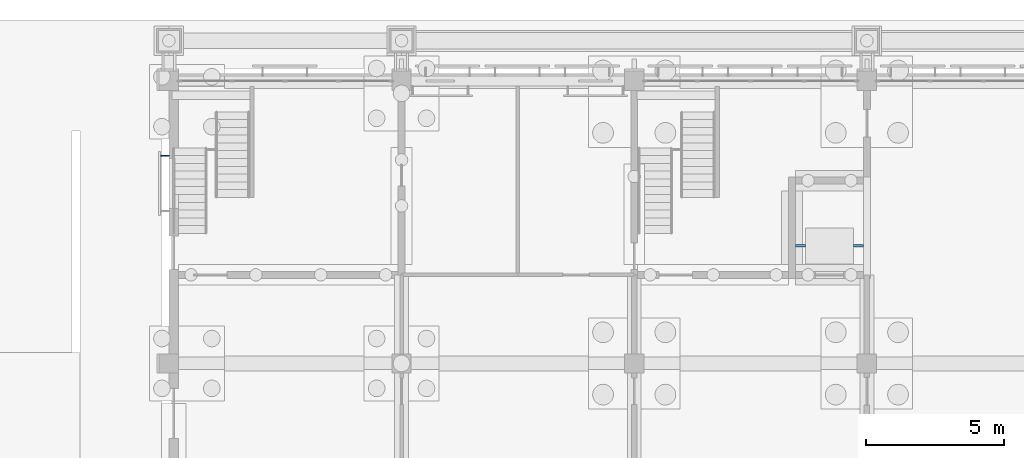
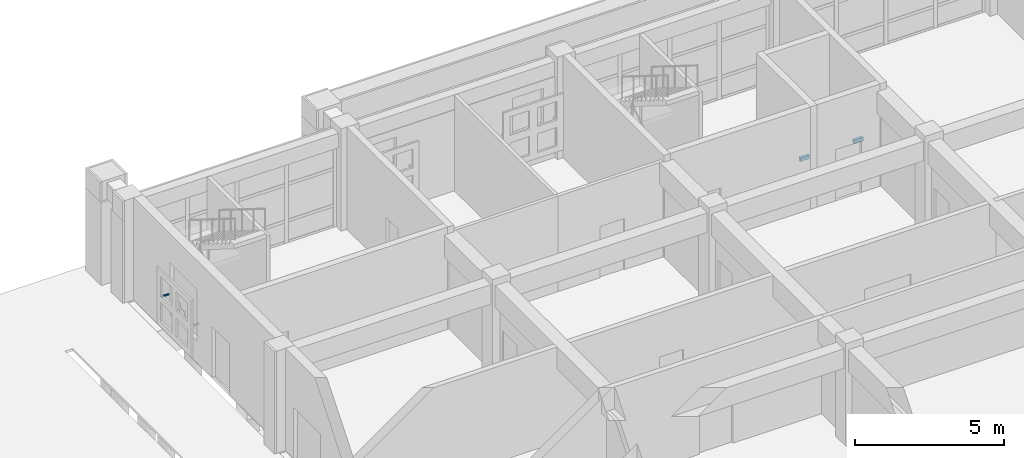
# One storey, part 90 of 112: 3 discrete accessories.
"""IFC4 building model written with IfcOpenShell, lengths in metres."""

from ifc_helpers import new_model, si_unit, direction, frame, origin, origin_2d, place, context, subcontext, project, spatial, rectangle, extrude, material, type_object, element, save


model = new_model("IFC4")

# Units and contexts
model_context = context("Model", 3, precision=1e-05, world=origin(), true_north=direction((0.0, 1.0)))
body_context = subcontext(model_context, "Body", "Model", "MODEL_VIEW")
ifc_project = project(units=[si_unit("LENGTHUNIT", "METRE"), si_unit("AREAUNIT", "SQUARE_METRE"), si_unit("VOLUMEUNIT", "CUBIC_METRE"), si_unit("PLANEANGLEUNIT", "RADIAN"), si_unit("MASSUNIT", "GRAM", prefix="KILO")], contexts=[model_context])

# Site, building, storey
site_placement = place(None, origin())
site = spatial("IfcSite", under=ifc_project, at=site_placement, CompositionType="ELEMENT")
building_placement = place(site_placement, origin())
building = spatial("IfcBuilding", under=site, at=building_placement, Name="Wasatch Bagh Community Centre", CompositionType="ELEMENT")
storey_placement = place(building_placement, origin())
storey = spatial("IfcBuildingStorey", under=building, at=storey_placement, Name="L00", CompositionType="ELEMENT", Elevation=0.0)

# Discrete accessories
ifc_material = material(Name="Galvanised steel", Category="steel")
discrete_accessory_type_1 = type_object("IfcDiscreteAccessoryType", Name="LW jali bracket", PredefinedType="BRACKET", material=ifc_material)
discrete_accessory_placement = place(storey_placement, frame((63.860107421875, 95.10009765625, 1.634765625), z_axis=(0.0, 0.0, 1.0), x_axis=(1.0, 0.0, 0.0)))
element("IfcDiscreteAccessory", 1, at=discrete_accessory_placement, inside=storey, type_object=discrete_accessory_type_1, Name="Jali bracket", PredefinedType="BRACKET", context=body_context, shape_type="SweptSolid", body=[
    extrude(rectangle(XDim=0.320068359375, YDim=0.050048828125, at=origin_2d()), origin(), (0.0, 0.0, 1.0), 0.050048828125),
])
discrete_accessory_type_2 = type_object("IfcDiscreteAccessoryType", Name="LW lift guide bracket", PredefinedType="BRACKET", material=ifc_material)
for number, where, z_axis, x_axis, name in (
    (2, (86.806396484375, 91.847412109375, 1.175048828125), (0.0, 0.0, 1.0), (1.0, 0.0, 0.0), "Guide bracket C1"),
    (3, (88.893798828125, 91.847412109375, 1.175048828125), (0.0, 0.0, 1.0), (1.0, 0.0, 0.0), "Guide bracket C1"),
):
    element("IfcDiscreteAccessory", number, at=place(storey_placement, frame(where, z_axis=z_axis, x_axis=x_axis)), inside=storey, type_object=discrete_accessory_type_2, Name=name, PredefinedType="BRACKET", context=body_context, shape_type="SweptSolid", body=[
        extrude(rectangle(XDim=0.362548828125, YDim=0.10009765625, at=origin_2d()), origin(), (0.0, 0.0, 1.0), 0.14990234375),
    ])

save(model, "model.ifc")
